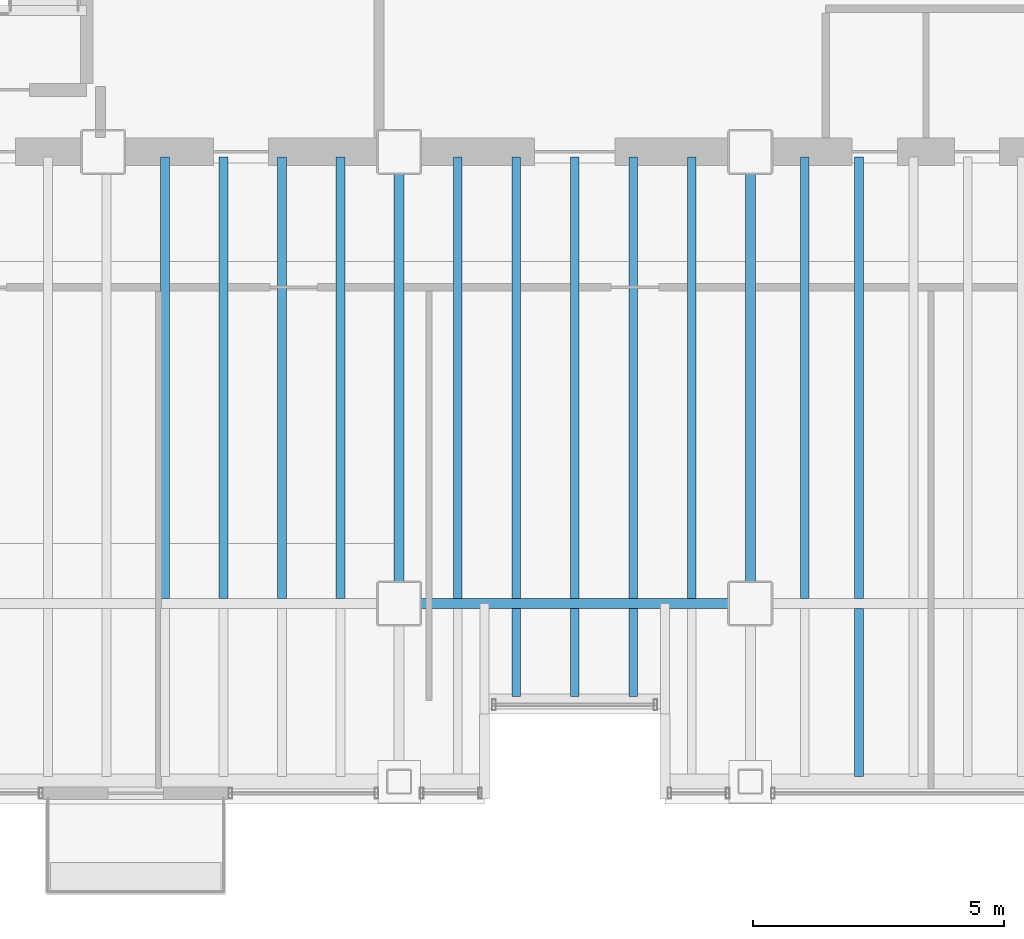
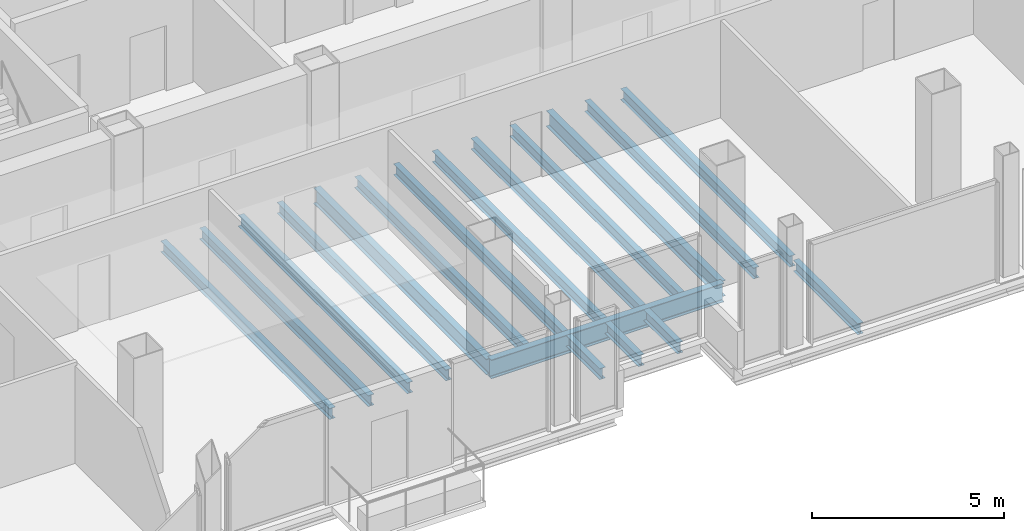
# One storey, part 5 of 18: 18 beams.
"""IFC4 building model written with IfcOpenShell, lengths in metres."""

from ifc_helpers import new_model, si_unit, direction, frame, origin, origin_2d, place, context, subcontext, project, spatial, i_section, extrude, material, material_profile, profile_set, type_object, element, save


model = new_model("IFC4")

# Units and contexts
model_context = context("Model", 3, precision=1e-05, world=origin(), true_north=direction((0.0, 1.0)))
body_context = subcontext(model_context, "Body", "Model", "MODEL_VIEW")
ifc_project = project(units=[si_unit("LENGTHUNIT", "METRE"), si_unit("AREAUNIT", "SQUARE_METRE"), si_unit("VOLUMEUNIT", "CUBIC_METRE"), si_unit("PLANEANGLEUNIT", "RADIAN"), si_unit("MASSUNIT", "GRAM", prefix="KILO")], contexts=[model_context])

# Site, building, storey
site_placement = place(None, origin())
site = spatial("IfcSite", under=ifc_project, at=site_placement, CompositionType="ELEMENT")
building_placement = place(site_placement, origin())
building = spatial("IfcBuilding", under=site, at=building_placement, Name="Noeulbin Bourse Tower", CompositionType="ELEMENT")
storey_placement = place(building_placement, frame((0.0, 0.0, 161.699951171875)))
storey = spatial("IfcBuildingStorey", under=building, at=storey_placement, Name="L40", CompositionType="ELEMENT", Elevation=161.699951171875)

# Beams
ifc_material = material(Name="Steel S355", Category="steel")
ifc_material_profile_1 = material_profile(ifc_material, i_section(OverallWidth=0.199951171875, OverallDepth=0.5, WebThickness=0.010009765625, FlangeThickness=0.01611328125, FilletRadius=0.02001953125, at=origin_2d()), Name="H-500x200x10x16", Category="LoadBearing")
ifc_profile_set_1 = profile_set([ifc_material_profile_1], Name="Steel S355")
beam_type_1 = type_object("IfcBeamType", Name="BM-GRD-500", PredefinedType="USERDEFINED", material=ifc_profile_set_1)
for number, where, z_axis, x_axis, name in (
    (1, (24.0, 20.0, -0.429931640625), (0.0, 1.0, 0.0), (-1.0, 0.0, 0.0), "Tower Primary Girder NS L40-2.2"),
    (2, (31.0, 20.0, -0.429931640625), (0.0, 1.0, 0.0), (-1.0, 0.0, 0.0), "Tower Primary Girder NS L40-3.2"),
):
    element("IfcBeam", number, at=place(storey_placement, frame(where, z_axis=z_axis, x_axis=x_axis)), inside=storey, type_object=beam_type_1, Name=name, ObjectType="GIRDER", PredefinedType="USERDEFINED", context=body_context, shape_type="SweptSolid", body=[
        extrude(i_section(OverallWidth=0.199951171875, OverallDepth=0.5, WebThickness=0.010009765625, FlangeThickness=0.01611328125, FilletRadius=0.02001953125, at=origin_2d()), origin(), (0.0, 0.0, 1.0), 9.0),
    ])
ifc_material_profile_2 = material_profile(ifc_material, i_section(OverallWidth=0.199951171875, OverallDepth=0.60009765625, WebThickness=0.010986328125, FlangeThickness=0.01708984375, FilletRadius=0.02197265625, at=origin_2d()), Name="H-600x200x11x17", Category="LoadBearing")
ifc_profile_set_2 = profile_set([ifc_material_profile_2], Name="Steel S355")
beam_type_2 = type_object("IfcBeamType", Name="BM-GRD-600", PredefinedType="USERDEFINED", material=ifc_profile_set_2)
beam_1_placement = place(storey_placement, frame((24.0, 20.0, -0.47998046875), z_axis=(1.0, 0.0, 0.0), x_axis=(0.0, 1.0, 0.0)))
element("IfcBeam", 3, at=beam_1_placement, inside=storey, type_object=beam_type_2, Name="Tower Primary Girder EW L40-1.3", ObjectType="GIRDER", PredefinedType="USERDEFINED", context=body_context, shape_type="SweptSolid", body=[
    extrude(i_section(OverallWidth=0.199951171875, OverallDepth=0.60009765625, WebThickness=0.010986328125, FlangeThickness=0.01708984375, FilletRadius=0.02197265625, at=origin_2d()), origin(), (0.0, 0.0, 1.0), 7.0),
])
ifc_material_profile_3 = material_profile(ifc_material, i_section(OverallWidth=0.175048828125, OverallDepth=0.35009765625, WebThickness=0.007080078125, FlangeThickness=0.010986328125, FilletRadius=0.013916015625, at=origin_2d()), Name="H-350x175x7x11", Category="LoadBearing")
ifc_profile_set_3 = profile_set([ifc_material_profile_3], Name="Steel S355")
beam_type_3 = type_object("IfcBeamType", Name="BM-JST-350", PredefinedType="JOIST", material=ifc_profile_set_3)
for number, where, z_axis, x_axis, name in (
    (4, (19.333251953125, 20.10009765625, -0.35498046875), (0.0, 1.0, 0.0), (-1.0, 0.0, 0.0), "Tower Composite Joist L40-14"),
    (5, (20.5, 20.10009765625, -0.35498046875), (0.0, 1.0, 0.0), (-1.0, 0.0, 0.0), "Tower Composite Joist L40-17"),
    (6, (21.666748046875, 20.10009765625, -0.35498046875), (0.0, 1.0, 0.0), (-1.0, 0.0, 0.0), "Tower Composite Joist L40-20"),
    (7, (22.833251953125, 20.10009765625, -0.35498046875), (0.0, 1.0, 0.0), (-1.0, 0.0, 0.0), "Tower Composite Joist L40-23"),
    (8, (25.166748046875, 20.10009765625, -0.35498046875), (0.0, 1.0, 0.0), (-1.0, 0.0, 0.0), "Tower Composite Joist L40-26"),
):
    element("IfcBeam", number, at=place(storey_placement, frame(where, z_axis=z_axis, x_axis=x_axis)), inside=storey, type_object=beam_type_3, Name=name, PredefinedType="JOIST", context=body_context, shape_type="SweptSolid", body=[
        extrude(i_section(OverallWidth=0.175048828125, OverallDepth=0.35009765625, WebThickness=0.007080078125, FlangeThickness=0.010986328125, FilletRadius=0.013916015625, at=origin_2d()), origin(), (0.0, 0.0, 1.0), 8.7998046875),
    ])
beam_2_placement = place(storey_placement, frame((26.333251953125, 18.14990234375, -0.35498046875), z_axis=(0.0, 1.0, 0.0), x_axis=(-1.0, 0.0, 0.0)))
element("IfcBeam", 9, at=beam_2_placement, inside=storey, type_object=beam_type_3, Name="Tower Composite Joist L40-28", PredefinedType="JOIST", context=body_context, shape_type="SweptSolid", body=[
    extrude(i_section(OverallWidth=0.175048828125, OverallDepth=0.35009765625, WebThickness=0.007080078125, FlangeThickness=0.010986328125, FilletRadius=0.013916015625, at=origin_2d()), origin(), (0.0, 0.0, 1.0), 1.75),
])
beam_3_placement = place(storey_placement, frame((26.333251953125, 20.10009765625, -0.35498046875), z_axis=(0.0, 1.0, 0.0), x_axis=(-1.0, 0.0, 0.0)))
element("IfcBeam", 10, at=beam_3_placement, inside=storey, type_object=beam_type_3, Name="Tower Composite Joist L40-29", PredefinedType="JOIST", context=body_context, shape_type="SweptSolid", body=[
    extrude(i_section(OverallWidth=0.175048828125, OverallDepth=0.35009765625, WebThickness=0.007080078125, FlangeThickness=0.010986328125, FilletRadius=0.013916015625, at=origin_2d()), origin(), (0.0, 0.0, 1.0), 8.7998046875),
])
beam_4_placement = place(storey_placement, frame((27.5, 18.14990234375, -0.35498046875), z_axis=(0.0, 1.0, 0.0), x_axis=(-1.0, 0.0, 0.0)))
element("IfcBeam", 11, at=beam_4_placement, inside=storey, type_object=beam_type_3, Name="Tower Composite Joist L40-31", PredefinedType="JOIST", context=body_context, shape_type="SweptSolid", body=[
    extrude(i_section(OverallWidth=0.175048828125, OverallDepth=0.35009765625, WebThickness=0.007080078125, FlangeThickness=0.010986328125, FilletRadius=0.013916015625, at=origin_2d()), origin(), (0.0, 0.0, 1.0), 1.75),
])
beam_5_placement = place(storey_placement, frame((27.5, 20.10009765625, -0.35498046875), z_axis=(0.0, 1.0, 0.0), x_axis=(-1.0, 0.0, 0.0)))
element("IfcBeam", 12, at=beam_5_placement, inside=storey, type_object=beam_type_3, Name="Tower Composite Joist L40-32", PredefinedType="JOIST", context=body_context, shape_type="SweptSolid", body=[
    extrude(i_section(OverallWidth=0.175048828125, OverallDepth=0.35009765625, WebThickness=0.007080078125, FlangeThickness=0.010986328125, FilletRadius=0.013916015625, at=origin_2d()), origin(), (0.0, 0.0, 1.0), 8.7998046875),
])
beam_6_placement = place(storey_placement, frame((28.666748046875, 18.14990234375, -0.35498046875), z_axis=(0.0, 1.0, 0.0), x_axis=(-1.0, 0.0, 0.0)))
element("IfcBeam", 13, at=beam_6_placement, inside=storey, type_object=beam_type_3, Name="Tower Composite Joist L40-34", PredefinedType="JOIST", context=body_context, shape_type="SweptSolid", body=[
    extrude(i_section(OverallWidth=0.175048828125, OverallDepth=0.35009765625, WebThickness=0.007080078125, FlangeThickness=0.010986328125, FilletRadius=0.013916015625, at=origin_2d()), origin(), (0.0, 0.0, 1.0), 1.75),
])
for number, where, z_axis, x_axis, name in (
    (14, (28.666748046875, 20.10009765625, -0.35498046875), (0.0, 1.0, 0.0), (-1.0, 0.0, 0.0), "Tower Composite Joist L40-35"),
    (15, (29.833251953125, 20.10009765625, -0.35498046875), (0.0, 1.0, 0.0), (-1.0, 0.0, 0.0), "Tower Composite Joist L40-38"),
    (16, (32.083251953125, 20.10009765625, -0.35498046875), (0.0, 1.0, 0.0), (-1.0, 0.0, 0.0), "Tower Composite Joist L40-41"),
):
    element("IfcBeam", number, at=place(storey_placement, frame(where, z_axis=z_axis, x_axis=x_axis)), inside=storey, type_object=beam_type_3, Name=name, PredefinedType="JOIST", context=body_context, shape_type="SweptSolid", body=[
        extrude(i_section(OverallWidth=0.175048828125, OverallDepth=0.35009765625, WebThickness=0.007080078125, FlangeThickness=0.010986328125, FilletRadius=0.013916015625, at=origin_2d()), origin(), (0.0, 0.0, 1.0), 8.7998046875),
    ])
beam_7_placement = place(storey_placement, frame((33.166748046875, 16.550048828125, -0.35498046875), z_axis=(0.0, 1.0, 0.0), x_axis=(-1.0, 0.0, 0.0)))
element("IfcBeam", 17, at=beam_7_placement, inside=storey, type_object=beam_type_3, Name="Tower Composite Joist L40-43", PredefinedType="JOIST", context=body_context, shape_type="SweptSolid", body=[
    extrude(i_section(OverallWidth=0.175048828125, OverallDepth=0.35009765625, WebThickness=0.007080078125, FlangeThickness=0.010986328125, FilletRadius=0.013916015625, at=origin_2d()), origin(), (0.0, 0.0, 1.0), 3.349853515625),
])
beam_8_placement = place(storey_placement, frame((33.166748046875, 20.10009765625, -0.35498046875), z_axis=(0.0, 1.0, 0.0), x_axis=(-1.0, 0.0, 0.0)))
element("IfcBeam", 18, at=beam_8_placement, inside=storey, type_object=beam_type_3, Name="Tower Composite Joist L40-44", PredefinedType="JOIST", context=body_context, shape_type="SweptSolid", body=[
    extrude(i_section(OverallWidth=0.175048828125, OverallDepth=0.35009765625, WebThickness=0.007080078125, FlangeThickness=0.010986328125, FilletRadius=0.013916015625, at=origin_2d()), origin(), (0.0, 0.0, 1.0), 8.7998046875),
])

save(model, "model.ifc")
